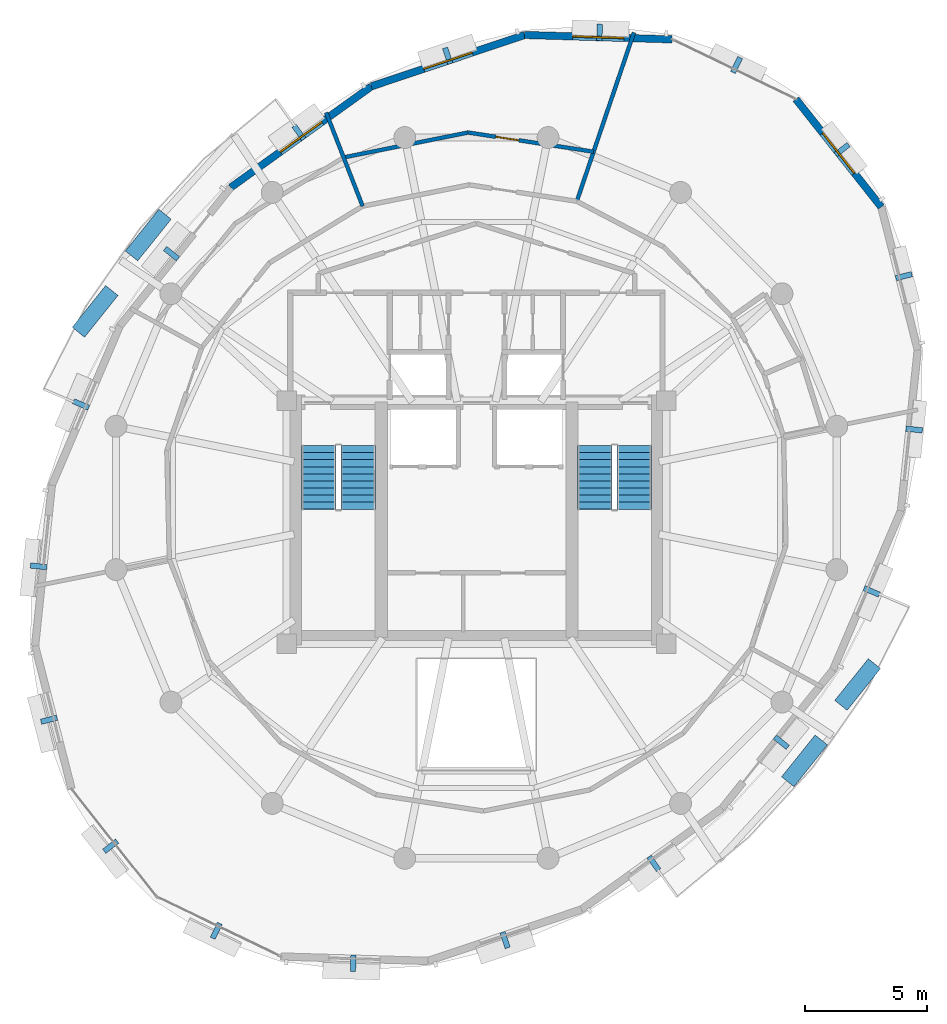
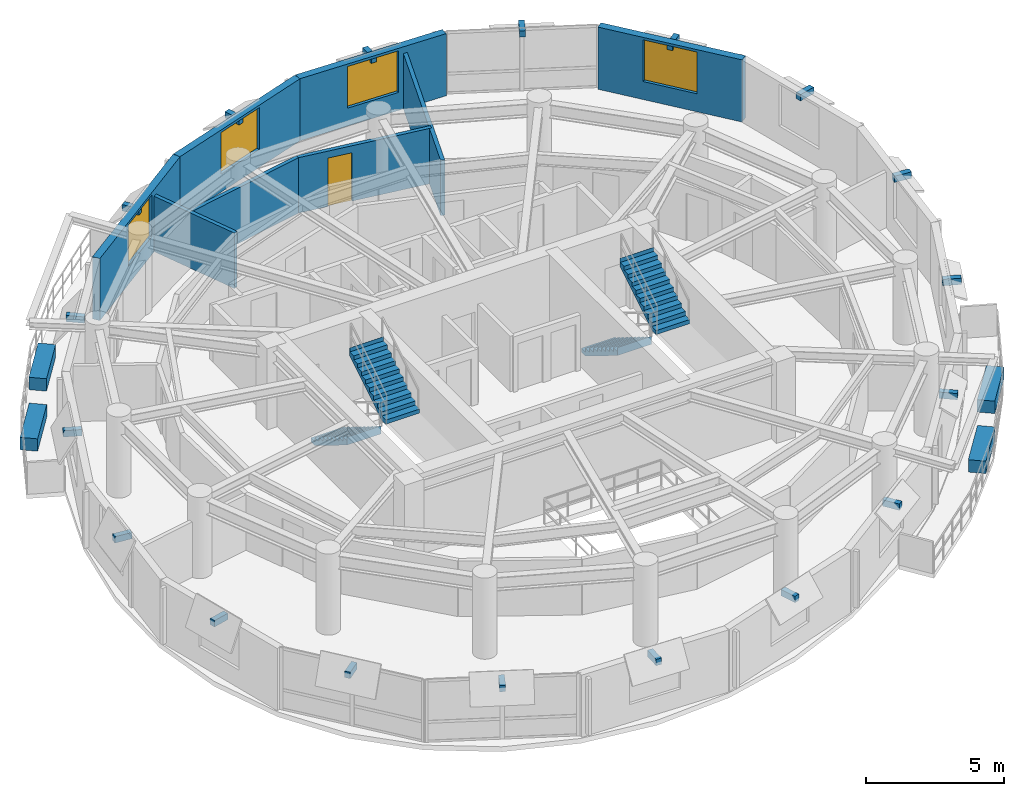
# One storey, part 9 of 11: 22 discrete accessories, 8 walls, 4 stair flights, 4 windows, 1 door, 5 openings, 2 elements without a shape of their own.
"""IFC4 building model written with IfcOpenShell, lengths in metres."""

from ifc_helpers import new_model, si_unit, direction, frame, frame_2d, origin, origin_2d, place, context, subcontext, project, spatial, polyline, rectangle, outline, extrude, material, layer, layer_set, type_object, element, fill, aggregate, save


model = new_model("IFC4")

# Units and contexts
model_context = context("Model", 3, precision=1e-05, world=origin(), true_north=direction((0.0, 1.0)))
body_context = subcontext(model_context, "Body", "Model", "MODEL_VIEW")
ifc_project = project(units=[si_unit("LENGTHUNIT", "METRE"), si_unit("AREAUNIT", "SQUARE_METRE"), si_unit("VOLUMEUNIT", "CUBIC_METRE"), si_unit("PLANEANGLEUNIT", "RADIAN"), si_unit("MASSUNIT", "GRAM", prefix="KILO"), si_unit("THERMODYNAMICTEMPERATUREUNIT", "KELVIN"), si_unit("POWERUNIT", "WATT")], contexts=[model_context])

# Site, building, storey
site_placement = place(None, origin())
site = spatial("IfcSite", under=ifc_project, at=site_placement, CompositionType="ELEMENT")
building_placement = place(site_placement, origin())
building = spatial("IfcBuilding", under=site, at=building_placement, Name="Ocrelia Relay Tower", CompositionType="ELEMENT")
storey_placement = place(building_placement, frame((0.0, 0.0, 244.800048828125)))
storey = spatial("IfcBuildingStorey", under=building, at=storey_placement, Name="L60", CompositionType="ELEMENT", Elevation=244.800048828125)

# Wall, opening, window
ifc_material_1 = material(Name="Precast concrete C40/50 with oxide terracotta", Category="masonry")
ifc_layer_1 = layer(ifc_material_1, 0.300048828125, Name="Precast concrete C40/50 with oxide terracotta")
ifc_layer_set_1 = layer_set([ifc_layer_1], Name="Precast concrete C40/50 with oxide terracotta")
wall_type_1 = type_object("IfcWallType", Name="W-EXT-TERR-300", PredefinedType="SOLIDWALL", material=ifc_layer_set_1)
wall_1_placement = place(storey_placement, frame((42.040771484375, 44.843505859375, 0.0), z_axis=(0.0, 0.0, 1.0), x_axis=(-0.999549748053, 0.030005019031, 0.0)))
wall_1 = element("IfcWall", 1, at=wall_1_placement, inside=storey, type_object=wall_type_1, Name="L60 Oxide Terracotta Facade Wall 02", PredefinedType="SOLIDWALL", context=body_context, shape_type="SweptSolid", body=[
    extrude(rectangle(XDim=6.061767578125, YDim=0.300048828125, at=frame_2d((3.03076171875, 0.0))), origin(), (0.0, 0.0, 1.0), 2.760009765625),
])
opening_1_placement = place(wall_1_placement, frame((1.98095703125, 0.0, 0.800048828125)))
opening_1 = element("IfcOpeningElement", 2, at=opening_1_placement, cuts=wall_1, Name="Opening W-07", PredefinedType="OPENING", context=body_context, shape_type="SweptSolid", body=[
    extrude(rectangle(XDim=2.10009765625, YDim=1.85009765625, at=frame_2d((1.050048828125, 0.925048828125))), frame((0.0, 0.16015625, 0.0), z_axis=(0.0, -1.0, 0.0), x_axis=(1.0, 0.0, 0.0)), (0.0, 0.0, 1.0), 0.320068359375),
])
ifc_material_2 = material(Name="Clear double-glazed low-E glass", Category="glass")
window_type = type_object("IfcWindowType", Name="WIN-Z4-2100x2200", PartitioningType="DOUBLE_PANEL_VERTICAL", PredefinedType="WINDOW", material=ifc_material_2)
window_1_placement = place(opening_1_placement, origin())
window_1 = element("IfcWindow", 3, at=window_1_placement, inside=storey, type_object=window_type, Name="L60 Facade Module Window 02", OverallHeight=1.85009765625, OverallWidth=2.10009765625, PartitioningType="SINGLE_PANEL", PredefinedType="WINDOW", context=body_context, shape_type="SweptSolid", body=[
    extrude(rectangle(XDim=2.10009765625, YDim=1.85009765625, at=frame_2d((1.050048828125, 0.925048828125))), frame((0.0, 0.030029296875, 0.0), z_axis=(0.0, -1.0, 0.0), x_axis=(1.0, 0.0, 0.0)), (0.0, 0.0, 1.0), 0.06005859375),
])
fill(opening_1, window_1)

wall_2_placement = place(storey_placement, frame((35.981689453125, 45.025390625, 0.0), z_axis=(0.0, 0.0, 1.0), x_axis=(-0.948064074007, -0.318079410805, 0.0)))
wall_2 = element("IfcWall", 4, at=wall_2_placement, inside=storey, type_object=wall_type_1, Name="L60 Oxide Terracotta Facade Wall 03", PredefinedType="SOLIDWALL", context=body_context, shape_type="SweptSolid", body=[
    extrude(rectangle(XDim=6.64306640625, YDim=0.300048828125, at=frame_2d((3.321533203125, 0.0))), origin(), (0.0, 0.0, 1.0), 2.760009765625),
])
opening_2_placement = place(wall_2_placement, frame((2.27197265625, 0.0, 0.800048828125)))
opening_2 = element("IfcOpeningElement", 5, at=opening_2_placement, cuts=wall_2, Name="Opening W-07", PredefinedType="OPENING", context=body_context, shape_type="SweptSolid", body=[
    extrude(rectangle(XDim=2.10009765625, YDim=1.85009765625, at=frame_2d((1.050048828125, 0.925048828125))), frame((0.0, 0.16015625, 0.0), z_axis=(0.0, -1.0, 0.0), x_axis=(1.0, 0.0, 0.0)), (0.0, 0.0, 1.0), 0.320068359375),
])
window_2_placement = place(opening_2_placement, origin())
window_2 = element("IfcWindow", 6, at=window_2_placement, inside=storey, type_object=window_type, Name="L60 Facade Module Window 03", OverallHeight=1.85009765625, OverallWidth=2.10009765625, PartitioningType="SINGLE_PANEL", PredefinedType="WINDOW", context=body_context, shape_type="SweptSolid", body=[
    extrude(rectangle(XDim=2.10009765625, YDim=1.85009765625, at=frame_2d((1.050048828125, 0.925048828125))), frame((0.0, 0.030029296875, 0.0), z_axis=(0.0, -1.0, 0.0), x_axis=(1.0, 0.0, 0.0)), (0.0, 0.0, 1.0), 0.06005859375),
])
fill(opening_2, window_2)

wall_3_placement = place(storey_placement, frame((29.68359375, 42.912353515625, 0.0), z_axis=(0.0, 0.0, 1.0), x_axis=(-0.81200266695, -0.583653723424, 0.0)))
wall_3 = element("IfcWall", 7, at=wall_3_placement, inside=storey, type_object=wall_type_1, Name="L60 Oxide Terracotta Facade Wall 04", PredefinedType="SOLIDWALL", context=body_context, shape_type="SweptSolid", body=[
    extrude(rectangle(XDim=7.115234375, YDim=0.300048828125, at=frame_2d((3.5576171875, 0.0))), origin(), (0.0, 0.0, 1.0), 2.760009765625),
])
opening_3_placement = place(wall_3_placement, frame((2.508056640625, 0.0, 0.800048828125)))
opening_3 = element("IfcOpeningElement", 8, at=opening_3_placement, cuts=wall_3, Name="Opening W-07", PredefinedType="OPENING", context=body_context, shape_type="SweptSolid", body=[
    extrude(rectangle(XDim=2.10009765625, YDim=1.85009765625, at=frame_2d((1.050048828125, 0.925048828125))), frame((0.0, 0.16015625, 0.0), z_axis=(0.0, -1.0, 0.0), x_axis=(1.0, 0.0, 0.0)), (0.0, 0.0, 1.0), 0.320068359375),
])
window_3_placement = place(opening_3_placement, origin())
window_3 = element("IfcWindow", 9, at=window_3_placement, inside=storey, type_object=window_type, Name="L60 Facade Module Window 04", OverallHeight=1.85009765625, OverallWidth=2.10009765625, PartitioningType="SINGLE_PANEL", PredefinedType="WINDOW", context=body_context, shape_type="SweptSolid", body=[
    extrude(rectangle(XDim=2.10009765625, YDim=1.85009765625, at=frame_2d((1.050048828125, 0.925048828125))), frame((0.0, 0.030029296875, 0.0), z_axis=(0.0, -1.0, 0.0), x_axis=(1.0, 0.0, 0.0)), (0.0, 0.0, 1.0), 0.06005859375),
])
fill(opening_3, window_3)

wall_4_placement = place(storey_placement, frame((50.6357421875, 37.957763671875, 0.0), z_axis=(0.0, 0.0, 1.0), x_axis=(-0.620443930727, 0.784250807347, 0.0)))
wall_4 = element("IfcWall", 10, at=wall_4_placement, inside=storey, type_object=wall_type_1, Name="L60 Oxide Terracotta Facade Wall 18", PredefinedType="SOLIDWALL", context=body_context, shape_type="SweptSolid", body=[
    extrude(rectangle(XDim=5.650146484375, YDim=0.300048828125, at=frame_2d((2.8251953125, 0.0))), origin(), (0.0, 0.0, 1.0), 2.760009765625),
])
opening_4_placement = place(wall_4_placement, frame((1.77490234375, 0.0, 0.800048828125)))
opening_4 = element("IfcOpeningElement", 11, at=opening_4_placement, cuts=wall_4, Name="Opening W-07", PredefinedType="OPENING", context=body_context, shape_type="SweptSolid", body=[
    extrude(rectangle(XDim=2.10009765625, YDim=1.85009765625, at=frame_2d((1.050048828125, 0.925048828125))), frame((0.0, 0.16015625, 0.0), z_axis=(0.0, -1.0, 0.0), x_axis=(1.0, 0.0, 0.0)), (0.0, 0.0, 1.0), 0.320068359375),
])
window_4_placement = place(opening_4_placement, origin())
window_4 = element("IfcWindow", 12, at=window_4_placement, inside=storey, type_object=window_type, Name="L60 Facade Module Window 18", OverallHeight=1.85009765625, OverallWidth=2.10009765625, PartitioningType="SINGLE_PANEL", PredefinedType="WINDOW", context=body_context, shape_type="SweptSolid", body=[
    extrude(rectangle(XDim=2.10009765625, YDim=1.85009765625, at=frame_2d((1.050048828125, 0.925048828125))), frame((0.0, 0.030029296875, 0.0), z_axis=(0.0, -1.0, 0.0), x_axis=(1.0, 0.0, 0.0)), (0.0, 0.0, 1.0), 0.06005859375),
])
fill(opening_4, window_4)

# Walls
ifc_material_3 = material(Name="Acoustic Fireboard Partition EI60", Category="gypsum")
ifc_layer_2 = layer(ifc_material_3, 0.159912109375, Name="Acoustic Fireboard Partition EI60")
ifc_layer_set_2 = layer_set([ifc_layer_2], Name="Acoustic Fireboard Partition EI60")
wall_type_2 = type_object("IfcWallType", Name="W-PART-160", PredefinedType="PARTITIONING", material=ifc_layer_set_2)
wall_5_placement = place(storey_placement, frame((38.126220703125, 38.190673828125, 0.0), z_axis=(0.0, 0.0, 1.0), x_axis=(0.320627947746, 0.947205214895, 0.0)))
element("IfcWall", 13, at=wall_5_placement, inside=storey, type_object=wall_type_2, Name="L60 Executive Boardroom Radial Partition", PredefinedType="PARTITIONING", context=body_context, shape_type="SweptSolid", body=[
    extrude(rectangle(XDim=7.318359375, YDim=0.159912109375, at=frame_2d((3.6591796875, 0.0))), origin(), (0.0, 0.0, 1.0), 2.4599609375),
])
wall_6_placement = place(storey_placement, frame((29.324951171875, 37.990966796875, 0.0), z_axis=(0.0, 0.0, 1.0), x_axis=(-0.36329344764, 0.931674766698, 0.0)))
element("IfcWall", 14, at=wall_6_placement, inside=storey, type_object=wall_type_2, Name="L60 Directorate Conference Room Radial Partition", PredefinedType="PARTITIONING", context=body_context, shape_type="SweptSolid", body=[
    extrude(rectangle(XDim=4.129638671875, YDim=0.159912109375, at=frame_2d((2.06494140625, 0.0))), origin(), (0.0, 0.0, 1.0), 2.4599609375),
])

# Wall, opening, door
wall_7_placement = place(storey_placement, frame((38.815673828125, 40.22705078125, 0.0), z_axis=(0.0, 0.0, 1.0), x_axis=(-0.988493657032, 0.151262321837, 0.0)))
wall_7 = element("IfcWall", 15, at=wall_7_placement, inside=storey, type_object=wall_type_2, Name="L60 Perimeter Directorate Conference Room Mid-Ring Partition 1", PredefinedType="PARTITIONING", context=body_context, shape_type="SweptSolid", body=[
    extrude(rectangle(XDim=5.216552734375, YDim=0.159912109375, at=frame_2d((2.6083984375, 0.0))), origin(), (0.0, 0.0, 1.0), 2.4599609375),
])
opening_5_placement = place(wall_7_placement, frame((3.10986328125, 0.0, 0.0)))
opening_5 = element("IfcOpeningElement", 16, at=opening_5_placement, cuts=wall_7, Name="Opening D-RM95", PredefinedType="OPENING", context=body_context, shape_type="SweptSolid", body=[
    extrude(rectangle(XDim=0.949951171875, YDim=2.14990234375, at=frame_2d((0.47509765625, 1.074951171875))), frame((0.0, 0.08984375, 0.0), z_axis=(0.0, -1.0, 0.0), x_axis=(1.0, 0.0, 0.0)), (0.0, 0.0, 1.0), 0.179931640625),
])
ifc_material_4 = material(Name="Acoustic oak veneer fire door", Category="wood")
door_type = type_object("IfcDoorType", Name="DR-ROOM-950", OperationType="NOTDEFINED", PredefinedType="DOOR", material=ifc_material_4)
door_placement = place(opening_5_placement, origin())
door = element("IfcDoor", 17, at=door_placement, inside=storey, type_object=door_type, Name="L60 Perimeter Directorate Conference Room Connecting Door", OperationType="SINGLE_SWING_RIGHT", OverallHeight=2.14990234375, OverallWidth=0.949951171875, PredefinedType="DOOR", context=body_context, shape_type="SweptSolid", body=[
    extrude(rectangle(XDim=0.949951171875, YDim=2.14990234375, at=frame_2d((0.47509765625, 1.074951171875))), frame((0.0, 0.02490234375, 0.0), z_axis=(0.0, -1.0, 0.0), x_axis=(1.0, 0.0, 0.0)), (0.0, 0.0, 1.0), 0.050048828125),
])
fill(opening_5, door)

# Wall
wall_8_placement = place(storey_placement, frame((33.6591796875, 41.01611328125, 0.0), z_axis=(0.0, 0.0, 1.0), x_axis=(-0.980611265553, -0.195963123753, 0.0)))
element("IfcWall", 18, at=wall_8_placement, inside=storey, type_object=wall_type_2, Name="L60 Perimeter Directorate Conference Room Mid-Ring Partition 2", PredefinedType="PARTITIONING", context=body_context, shape_type="SweptSolid", body=[
    extrude(rectangle(XDim=5.21630859375, YDim=0.159912109375, at=frame_2d((2.608154296875, 0.0))), origin(), (0.0, 0.0, 1.0), 2.4599609375),
])

# Stair, stair flights
ifc_material_5 = material(Name="Concrete C50/60", Category="concrete")
stair_type = type_object("IfcStairType", Name="ST-DL-1420-R180", PredefinedType="HALF_TURN_STAIR", material=ifc_material_5)
stair_1_placement = place(storey_placement, origin())
stair_1 = element("IfcStair", 19, at=stair_1_placement, inside=storey, type_object=stair_type, Name="L60 West Core Exit Stair ST1", PredefinedType="HALF_TURN_STAIR")
stair_flight_type = type_object("IfcStairFlightType", Name="STF-DL-1420-R180", PredefinedType="STRAIGHT", material=ifc_material_5)
stair_flight_1_placement = place(storey_placement, frame((27.52001953125, 28.14990234375, 0.0), z_axis=(0.0, 0.0, 1.0), x_axis=(0.0, -1.0, 0.0)))
stair_flight_1 = element("IfcStairFlight", 20, at=stair_flight_1_placement, type_object=stair_flight_type, Name="ST1 flight 1", NumberOfRisers=10, NumberOfTreads=9, PredefinedType="STRAIGHT", RiserHeight=0.18, TreadLength=0.29, context=body_context, shape_type="SweptSolid", body=[
    extrude(outline(polyline([(-0.008056640625, 0.0), (-0.008056640625, 0.179931640625), (0.0, 0.179931640625), (0.2900390625, 0.179931640625), (0.2900390625, 0.360107421875), (0.580078125, 0.360107421875), (0.580078125, 0.5400390625), (0.8701171875, 0.5400390625), (0.8701171875, 0.719970703125), (1.159912109375, 0.719970703125), (1.159912109375, 0.89990234375), (1.449951171875, 0.89990234375), (1.449951171875, 1.080078125), (1.739990234375, 1.080078125), (1.739990234375, 1.260009765625), (2.030029296875, 1.260009765625), (2.030029296875, 1.43994140625), (2.320068359375, 1.43994140625), (2.320068359375, 1.6201171875), (2.610107421875, 1.6201171875), (2.610107421875, 1.800048828125), (2.617919921875, 1.800048828125), (2.617919921875, 1.443603515625), (0.2841796875, 0.0), (-0.008056640625, 0.0)])), frame((0.0, 0.7099609375, 0.0), z_axis=(0.0, -1.0, 0.0), x_axis=(1.0, 0.0, 0.0)), (0.0, 0.0, 1.0), 1.419921875),
])
stair_flight_2_placement = place(storey_placement, frame((29.139892578125, 25.5400390625, 1.800048828125), z_axis=(0.0, 0.0, 1.0), x_axis=(0.0, 1.0, 0.0)))
stair_flight_2 = element("IfcStairFlight", 21, at=stair_flight_2_placement, type_object=stair_flight_type, Name="ST1 flight 2", NumberOfRisers=10, NumberOfTreads=9, PredefinedType="STRAIGHT", RiserHeight=0.18, TreadLength=0.29, context=body_context, shape_type="SweptSolid", body=[
    extrude(outline(polyline([(-0.008056640625, 0.0), (-0.008056640625, 0.179931640625), (0.0, 0.179931640625), (0.2900390625, 0.179931640625), (0.2900390625, 0.360107421875), (0.580078125, 0.360107421875), (0.580078125, 0.5400390625), (0.8701171875, 0.5400390625), (0.8701171875, 0.719970703125), (1.159912109375, 0.719970703125), (1.159912109375, 0.89990234375), (1.449951171875, 0.89990234375), (1.449951171875, 1.080078125), (1.739990234375, 1.080078125), (1.739990234375, 1.260009765625), (2.030029296875, 1.260009765625), (2.030029296875, 1.43994140625), (2.320068359375, 1.43994140625), (2.320068359375, 1.6201171875), (2.610107421875, 1.6201171875), (2.610107421875, 1.800048828125), (2.617919921875, 1.800048828125), (2.617919921875, 1.443603515625), (0.2841796875, 0.0), (-0.008056640625, 0.0)])), frame((0.0, 0.7099609375, 0.0), z_axis=(0.0, -1.0, 0.0), x_axis=(1.0, 0.0, 0.0)), (0.0, 0.0, 1.0), 1.419921875),
])
aggregate(stair_1, [stair_flight_1, stair_flight_2])

stair_2_placement = place(storey_placement, origin())
stair_2 = element("IfcStair", 22, at=stair_2_placement, inside=storey, type_object=stair_type, Name="L60 East Core Exit Stair ST2", PredefinedType="HALF_TURN_STAIR")
stair_flight_3_placement = place(storey_placement, frame((38.8701171875, 28.14990234375, 0.0), z_axis=(0.0, 0.0, 1.0), x_axis=(0.0, -1.0, 0.0)))
stair_flight_3 = element("IfcStairFlight", 23, at=stair_flight_3_placement, type_object=stair_flight_type, Name="ST2 flight 1", NumberOfRisers=10, NumberOfTreads=9, PredefinedType="STRAIGHT", RiserHeight=0.18, TreadLength=0.29, context=body_context, shape_type="SweptSolid", body=[
    extrude(outline(polyline([(-0.008056640625, 0.0), (-0.008056640625, 0.179931640625), (0.0, 0.179931640625), (0.2900390625, 0.179931640625), (0.2900390625, 0.360107421875), (0.580078125, 0.360107421875), (0.580078125, 0.5400390625), (0.8701171875, 0.5400390625), (0.8701171875, 0.719970703125), (1.159912109375, 0.719970703125), (1.159912109375, 0.89990234375), (1.449951171875, 0.89990234375), (1.449951171875, 1.080078125), (1.739990234375, 1.080078125), (1.739990234375, 1.260009765625), (2.030029296875, 1.260009765625), (2.030029296875, 1.43994140625), (2.320068359375, 1.43994140625), (2.320068359375, 1.6201171875), (2.610107421875, 1.6201171875), (2.610107421875, 1.800048828125), (2.617919921875, 1.800048828125), (2.617919921875, 1.443603515625), (0.2841796875, 0.0), (-0.008056640625, 0.0)])), frame((0.0, 0.7099609375, 0.0), z_axis=(0.0, -1.0, 0.0), x_axis=(1.0, 0.0, 0.0)), (0.0, 0.0, 1.0), 1.419921875),
])
stair_flight_4_placement = place(storey_placement, frame((40.489990234375, 25.5400390625, 1.800048828125), z_axis=(0.0, 0.0, 1.0), x_axis=(0.0, 1.0, 0.0)))
stair_flight_4 = element("IfcStairFlight", 24, at=stair_flight_4_placement, type_object=stair_flight_type, Name="ST2 flight 2", NumberOfRisers=10, NumberOfTreads=9, PredefinedType="STRAIGHT", RiserHeight=0.18, TreadLength=0.29, context=body_context, shape_type="SweptSolid", body=[
    extrude(outline(polyline([(-0.008056640625, 0.0), (-0.008056640625, 0.179931640625), (0.0, 0.179931640625), (0.2900390625, 0.179931640625), (0.2900390625, 0.360107421875), (0.580078125, 0.360107421875), (0.580078125, 0.5400390625), (0.8701171875, 0.5400390625), (0.8701171875, 0.719970703125), (1.159912109375, 0.719970703125), (1.159912109375, 0.89990234375), (1.449951171875, 0.89990234375), (1.449951171875, 1.080078125), (1.739990234375, 1.080078125), (1.739990234375, 1.260009765625), (2.030029296875, 1.260009765625), (2.030029296875, 1.43994140625), (2.320068359375, 1.43994140625), (2.320068359375, 1.6201171875), (2.610107421875, 1.6201171875), (2.610107421875, 1.800048828125), (2.617919921875, 1.800048828125), (2.617919921875, 1.443603515625), (0.2841796875, 0.0), (-0.008056640625, 0.0)])), frame((0.0, 0.7099609375, 0.0), z_axis=(0.0, -1.0, 0.0), x_axis=(1.0, 0.0, 0.0)), (0.0, 0.0, 1.0), 1.419921875),
])
aggregate(stair_2, [stair_flight_3, stair_flight_4])

# Discrete accessories
ifc_material_6 = material(Name="Precast concrete C40/50 planter with highland greenery", Category="concrete")
discrete_accessory_type_1 = type_object("IfcDiscreteAccessoryType", Name="ACC-BALC-PLANTER", PredefinedType="USERDEFINED", material=ifc_material_6)
for number, where, z_axis, x_axis, name in (
    (25, (20.51611328125, 36.802490234375, 0.0), (0.0, 0.0, 1.0), (0.625245895968, 0.780427811892, 0.0), "L60 Balcony Terracotta Planter with Greenery B1"),
    (26, (18.332275390625, 33.66650390625, 0.0), (0.0, 0.0, 1.0), (0.625245895968, 0.780427811892, 0.0), "L60 Balcony Terracotta Planter B1-2"),
    (27, (47.48388671875, 15.197509765625, 0.0), (0.0, 0.0, 1.0), (-0.625245895968, -0.780427811892, 0.0), "L60 Balcony Terracotta Planter with Greenery B2"),
    (28, (49.667724609375, 18.33349609375, 0.0), (0.0, 0.0, 1.0), (-0.625245895968, -0.780427811892, 0.0), "L60 Balcony Terracotta Planter B2-2"),
):
    element("IfcDiscreteAccessory", number, at=place(storey_placement, frame(where, z_axis=z_axis, x_axis=x_axis)), inside=storey, type_object=discrete_accessory_type_1, Name=name, ObjectType="PLANTER", PredefinedType="USERDEFINED", context=body_context, shape_type="SweptSolid", body=[
        extrude(rectangle(XDim=2.199951171875, YDim=0.64990234375, at=origin_2d()), origin(), (0.0, 0.0, 1.0), 0.550048828125),
    ])
ifc_material_7 = material(Name="Steel S355", Category="steel")
discrete_accessory_type_2 = type_object("IfcDiscreteAccessoryType", Name="ACC-VISOR-BRACKET", PredefinedType="BRACKET", material=ifc_material_7)
for number, where, z_axis, x_axis, name in (
    (29, (44.6884765625, 43.78759765625, 2.4599609375), (0.0, 0.0, 1.0), (-0.90071118316, 0.434418421029, 0.0), "L60 Visor Mounting Bracket 01"),
    (30, (39.0625, 45.127685546875, 2.4599609375), (0.0, 0.0, 1.0), (-0.999550664402, 0.029974477353, 0.0), "L60 Visor Mounting Bracket 02"),
    (31, (32.819580078125, 44.16845703125, 2.4599609375), (0.0, 0.0, 1.0), (-0.948067346908, -0.318069655465, 0.0), "L60 Visor Mounting Bracket 03"),
    (32, (26.70751953125, 41.015869140625, 2.4599609375), (0.0, 0.0, 1.0), (-0.811993931699, -0.583665876065, 0.0), "L60 Visor Mounting Bracket 04"),
    (33, (21.469970703125, 36.03857421875, 2.4599609375), (0.0, 0.0, 1.0), (-0.625245013134, -0.780428519181, 0.0), "L60 Visor Mounting Bracket 05"),
    (34, (17.7548828125, 29.84130859375, 2.4599609375), (0.0, 0.0, 1.0), (-0.392470232799, -0.919764707068, 0.0), "L60 Visor Mounting Bracket 06"),
    (35, (16.01171875, 23.188720703125, 2.4599609375), (0.0, 0.0, 1.0), (-0.103595536078, -0.994619507603, 0.0), "L60 Visor Mounting Bracket 07"),
    (36, (16.437255859375, 16.886962890625, 2.4599609375), (0.0, 0.0, 1.0), (0.247303172301, -0.968938151261, 0.0), "L60 Visor Mounting Bracket 08"),
    (37, (18.972412109375, 11.688720703125, 2.4599609375), (0.0, 0.0, 1.0), (0.620429556634, -0.784262178901, 0.0), "L60 Visor Mounting Bracket 09"),
    (38, (23.3115234375, 8.21240234375, 2.4599609375), (0.0, 0.0, 1.0), (0.90071118316, -0.434418421029, 0.0), "L60 Visor Mounting Bracket 10"),
    (39, (28.9375, 6.872314453125, 2.4599609375), (0.0, 0.0, 1.0), (0.999550664402, -0.029974477353, 0.0), "L60 Visor Mounting Bracket 11"),
    (40, (35.180419921875, 7.83154296875, 2.4599609375), (0.0, 0.0, 1.0), (0.948067346908, 0.318069655465, 0.0), "L60 Visor Mounting Bracket 12"),
    (41, (41.29248046875, 10.984130859375, 2.4599609375), (0.0, 0.0, 1.0), (0.811993931699, 0.583665876065, 0.0), "L60 Visor Mounting Bracket 13"),
    (42, (46.530029296875, 15.96142578125, 2.4599609375), (0.0, 0.0, 1.0), (0.625245013134, 0.780428519181, 0.0), "L60 Visor Mounting Bracket 14"),
    (43, (50.2451171875, 22.15869140625, 2.4599609375), (0.0, 0.0, 1.0), (0.392470232799, 0.919764707068, 0.0), "L60 Visor Mounting Bracket 15"),
    (44, (51.98828125, 28.811279296875, 2.4599609375), (0.0, 0.0, 1.0), (0.103595536078, 0.994619507603, 0.0), "L60 Visor Mounting Bracket 16"),
    (45, (51.562744140625, 35.113037109375, 2.4599609375), (0.0, 0.0, 1.0), (-0.247303172301, 0.968938151261, 0.0), "L60 Visor Mounting Bracket 17"),
    (46, (49.027587890625, 40.311279296875, 2.4599609375), (0.0, 0.0, 1.0), (-0.620429556634, 0.784262178901, 0.0), "L60 Visor Mounting Bracket 18"),
):
    element("IfcDiscreteAccessory", number, at=place(storey_placement, frame(where, z_axis=z_axis, x_axis=x_axis)), inside=storey, type_object=discrete_accessory_type_2, Name=name, PredefinedType="BRACKET", context=body_context, shape_type="SweptSolid", body=[
        extrude(rectangle(XDim=0.219970703125, YDim=0.679931640625, at=origin_2d()), origin(), (0.0, 0.0, 1.0), 0.280029296875),
    ])

save(model, "model.ifc")
